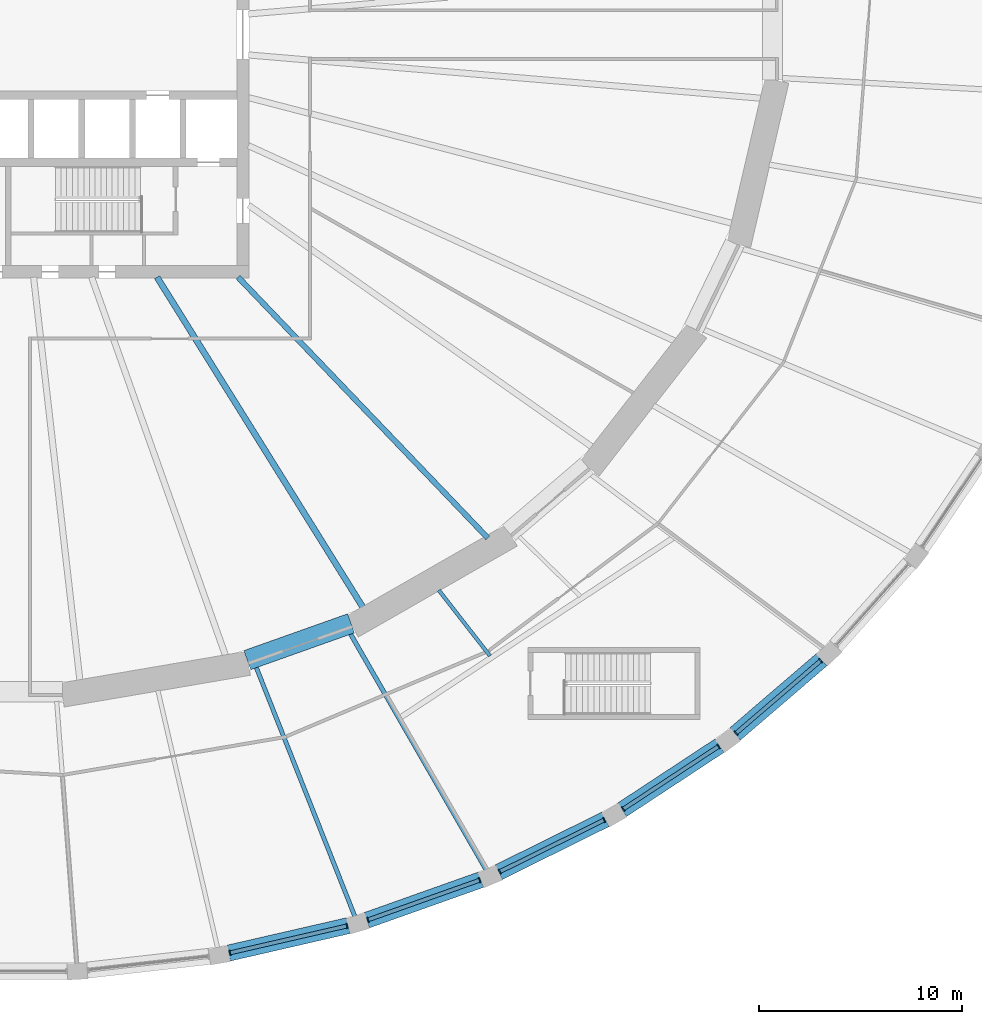
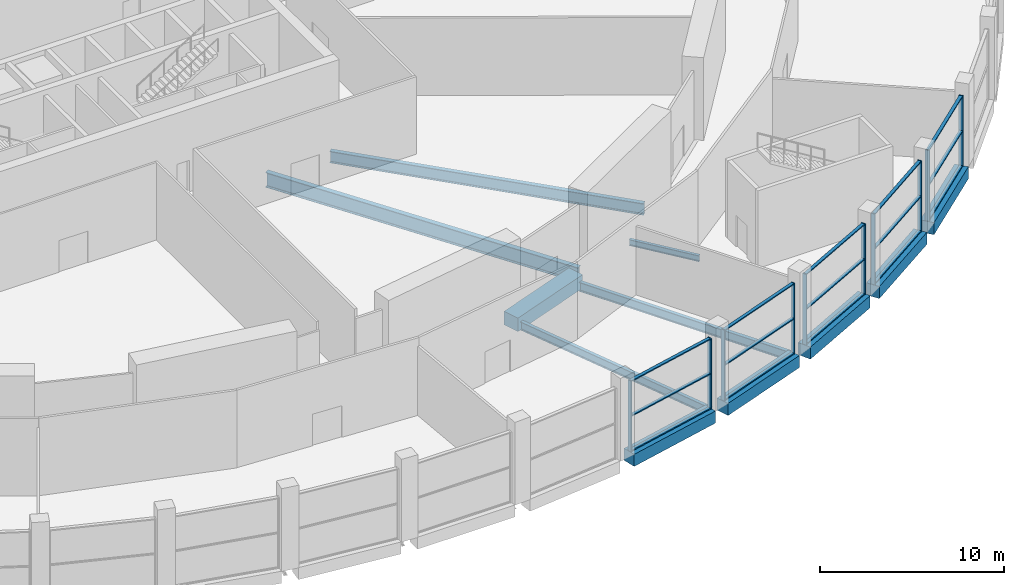
# One storey, part 7 of 29: 25 members, 11 beams, 5 elements without a shape of their own.
"""IFC4 building model written with IfcOpenShell, lengths in metres."""

from ifc_helpers import new_model, si_unit, direction, frame, origin, origin_2d, place, context, subcontext, project, spatial, rectangle, i_section, extrude, material, material_profile, profile_set, type_object, element, aggregate, save


model = new_model("IFC4")

# Units and contexts
model_context = context("Model", 3, precision=1e-05, world=origin(), true_north=direction((0.0, 1.0)))
body_context = subcontext(model_context, "Body", "Model", "MODEL_VIEW")
ifc_project = project(units=[si_unit("LENGTHUNIT", "METRE"), si_unit("AREAUNIT", "SQUARE_METRE"), si_unit("VOLUMEUNIT", "CUBIC_METRE"), si_unit("PLANEANGLEUNIT", "RADIAN"), si_unit("MASSUNIT", "GRAM", prefix="KILO")], contexts=[model_context])

# Site, building, storey
site_placement = place(None, origin())
site = spatial("IfcSite", under=ifc_project, at=site_placement, CompositionType="ELEMENT")
building_placement = place(site_placement, origin())
building = spatial("IfcBuilding", under=site, at=building_placement, Name="Halqa Exchange Tower", CompositionType="ELEMENT")
storey_placement = place(building_placement, frame((0.0, 0.0, 12.5)))
storey = spatial("IfcBuildingStorey", under=building, at=storey_placement, Name="L02", CompositionType="ELEMENT", Elevation=12.5)

# Curtain wall, members
ifc_material_1 = material(Name="Anodised aluminium and clear glass", Category="aluminium")
curtain_wall_type = type_object("IfcCurtainWallType", Name="Exchange hall glazing", PredefinedType="NOTDEFINED", material=ifc_material_1)
curtain_wall_1_placement = place(storey_placement, origin())
curtain_wall_1 = element("IfcCurtainWall", 1, at=curtain_wall_1_placement, inside=storey, type_object=curtain_wall_type, Name="Exchange hall glazing run P38", PredefinedType="NOTDEFINED")
ifc_material_2 = material(Name="Anodised aluminium", Category="aluminium")
ifc_material_profile_1 = material_profile(ifc_material_2, rectangle(XDim=0.25, YDim=0.070068359375, at=origin_2d()), Name="AL 70x250")
ifc_profile_set_1 = profile_set([ifc_material_profile_1], Name="Anodised aluminium")
member_type_1 = type_object("IfcMemberType", Name="Exchange hall glazing mullion 70 x 250", PredefinedType="MULLION", material=ifc_profile_set_1)
member_1_placement = place(storey_placement, frame((11.056396484375, -45.29052734375, 0.0), z_axis=(0.0, 0.0, 1.0), x_axis=(-0.223896655269, 0.974612891234, 0.0)))
member_1 = element("IfcMember", 2, at=member_1_placement, type_object=member_type_1, Name="P38 mullion 1", PredefinedType="MULLION", context=body_context, shape_type="SweptSolid", body=[
    extrude(rectangle(XDim=0.25, YDim=0.070068359375, at=origin_2d()), origin(), (0.0, 0.0, 1.0), 4.699951171875),
])
member_2_placement = place(storey_placement, frame((16.836181640625, -43.962646484375, 0.0), z_axis=(0.0, 0.0, 1.0), x_axis=(-0.223896655269, 0.974612891234, 0.0)))
member_2 = element("IfcMember", 3, at=member_2_placement, type_object=member_type_1, Name="P38 mullion 2", PredefinedType="MULLION", context=body_context, shape_type="SweptSolid", body=[
    extrude(rectangle(XDim=0.25, YDim=0.070068359375, at=origin_2d()), origin(), (0.0, 0.0, 1.0), 4.699951171875),
])

curtain_wall_2_placement = place(storey_placement, origin())
curtain_wall_2 = element("IfcCurtainWall", 4, at=curtain_wall_2_placement, inside=storey, type_object=curtain_wall_type, Name="Exchange hall glazing run P39", PredefinedType="NOTDEFINED")
member_3_placement = place(storey_placement, frame((17.86181640625, -43.663818359375, 0.0), z_axis=(0.0, 0.0, 1.0), x_axis=(-0.334688348326, 0.942328875444, 0.0)))
member_3 = element("IfcMember", 5, at=member_3_placement, type_object=member_type_1, Name="P39 mullion 1", PredefinedType="MULLION", context=body_context, shape_type="SweptSolid", body=[
    extrude(rectangle(XDim=0.25, YDim=0.070068359375, at=origin_2d()), origin(), (0.0, 0.0, 1.0), 4.699951171875),
])
member_4_placement = place(storey_placement, frame((23.37939453125, -41.7041015625, 0.0), z_axis=(0.0, 0.0, 1.0), x_axis=(-0.334688348326, 0.942328875444, 0.0)))
member_4 = element("IfcMember", 6, at=member_4_placement, type_object=member_type_1, Name="P39 mullion 2", PredefinedType="MULLION", context=body_context, shape_type="SweptSolid", body=[
    extrude(rectangle(XDim=0.25, YDim=0.070068359375, at=origin_2d()), origin(), (0.0, 0.0, 1.0), 4.699951171875),
])

curtain_wall_3_placement = place(storey_placement, origin())
curtain_wall_3 = element("IfcCurtainWall", 7, at=curtain_wall_3_placement, inside=storey, type_object=curtain_wall_type, Name="Exchange hall glazing run P40", PredefinedType="NOTDEFINED")
member_5_placement = place(storey_placement, frame((24.363037109375, -41.287841796875, 0.0), z_axis=(0.0, 0.0, 1.0), x_axis=(-0.443653417058, 0.896198440934, 0.0)))
member_5 = element("IfcMember", 8, at=member_5_placement, type_object=member_type_1, Name="P40 mullion 1", PredefinedType="MULLION", context=body_context, shape_type="SweptSolid", body=[
    extrude(rectangle(XDim=0.25, YDim=0.070068359375, at=origin_2d()), origin(), (0.0, 0.0, 1.0), 4.699951171875),
])
member_6_placement = place(storey_placement, frame((29.521240234375, -38.734375, 0.0), z_axis=(0.0, 0.0, 1.0), x_axis=(-0.443653417058, 0.896198440934, 0.0)))
member_6 = element("IfcMember", 9, at=member_6_placement, type_object=member_type_1, Name="P40 mullion 2", PredefinedType="MULLION", context=body_context, shape_type="SweptSolid", body=[
    extrude(rectangle(XDim=0.25, YDim=0.070068359375, at=origin_2d()), origin(), (0.0, 0.0, 1.0), 4.699951171875),
])

curtain_wall_4_placement = place(storey_placement, origin())
curtain_wall_4 = element("IfcCurtainWall", 10, at=curtain_wall_4_placement, inside=storey, type_object=curtain_wall_type, Name="Exchange hall glazing run P41", PredefinedType="NOTDEFINED")
member_7_placement = place(storey_placement, frame((30.44775390625, -38.202880859375, 0.0), z_axis=(0.0, 0.0, 1.0), x_axis=(-0.549620040919, 0.835414753652, 0.0)))
member_7 = element("IfcMember", 11, at=member_7_placement, type_object=member_type_1, Name="P41 mullion 1", PredefinedType="MULLION", context=body_context, shape_type="SweptSolid", body=[
    extrude(rectangle(XDim=0.25, YDim=0.070068359375, at=origin_2d()), origin(), (0.0, 0.0, 1.0), 4.699951171875),
])
member_8_placement = place(storey_placement, frame((35.15771484375, -35.104248046875, 0.0), z_axis=(0.0, 0.0, 1.0), x_axis=(-0.549620040919, 0.835414753652, 0.0)))
member_8 = element("IfcMember", 12, at=member_8_placement, type_object=member_type_1, Name="P41 mullion 2", PredefinedType="MULLION", context=body_context, shape_type="SweptSolid", body=[
    extrude(rectangle(XDim=0.25, YDim=0.070068359375, at=origin_2d()), origin(), (0.0, 0.0, 1.0), 4.699951171875),
])

curtain_wall_5_placement = place(storey_placement, origin())
curtain_wall_5 = element("IfcCurtainWall", 13, at=curtain_wall_5_placement, inside=storey, type_object=curtain_wall_type, Name="Exchange hall glazing run P42", PredefinedType="NOTDEFINED")
member_9_placement = place(storey_placement, frame((36.010986328125, -34.4619140625, 0.0), z_axis=(0.0, 0.0, 1.0), x_axis=(-0.650910929175, 0.759154109704, 0.0)))
member_9 = element("IfcMember", 14, at=member_9_placement, type_object=member_type_1, Name="P42 mullion 1", PredefinedType="MULLION", context=body_context, shape_type="SweptSolid", body=[
    extrude(rectangle(XDim=0.25, YDim=0.070068359375, at=origin_2d()), origin(), (0.0, 0.0, 1.0), 4.699951171875),
])
member_10_placement = place(storey_placement, frame((40.193115234375, -30.8759765625, 0.0), z_axis=(0.0, 0.0, 1.0), x_axis=(-0.650910929175, 0.759154109704, 0.0)))
member_10 = element("IfcMember", 15, at=member_10_placement, type_object=member_type_1, Name="P42 mullion 2", PredefinedType="MULLION", context=body_context, shape_type="SweptSolid", body=[
    extrude(rectangle(XDim=0.25, YDim=0.070068359375, at=origin_2d()), origin(), (0.0, 0.0, 1.0), 4.699951171875),
])

# Member
ifc_material_profile_2 = material_profile(ifc_material_2, rectangle(XDim=0.199951171875, YDim=0.070068359375, at=origin_2d()), Name="AL 70x200")
ifc_profile_set_2 = profile_set([ifc_material_profile_2], Name="Anodised aluminium")
member_type_2 = type_object("IfcMemberType", Name="Exchange hall glazing transom 70 x 200", PredefinedType="USERDEFINED", material=ifc_profile_set_2)
member_11_placement = place(storey_placement, frame((11.09033203125, -45.28271484375, 0.034912109375), z_axis=(0.974610483498, 0.223907135784, 0.0), x_axis=(-0.223907135784, 0.974610483498, 0.0)))
member_11 = element("IfcMember", 16, at=member_11_placement, type_object=member_type_2, Name="P38 transom 1.1", ObjectType="TRANSOM", PredefinedType="USERDEFINED", context=body_context, shape_type="SweptSolid", body=[
    extrude(rectangle(XDim=0.199951171875, YDim=0.070068359375, at=origin_2d()), origin(), (0.0, 0.0, 1.0), 5.860595703125),
])

member_12_placement = place(storey_placement, frame((11.09033203125, -45.28271484375, 2.35009765625), z_axis=(0.974610483498, 0.223907135784, 0.0), x_axis=(-0.223907135784, 0.974610483498, 0.0)))
member_12 = element("IfcMember", 17, at=member_12_placement, type_object=member_type_2, Name="P38 transom 1.2", ObjectType="TRANSOM", PredefinedType="USERDEFINED", context=body_context, shape_type="SweptSolid", body=[
    extrude(rectangle(XDim=0.199951171875, YDim=0.070068359375, at=origin_2d()), origin(), (0.0, 0.0, 1.0), 5.860595703125),
])

member_13_placement = place(storey_placement, frame((11.09033203125, -45.28271484375, 4.6650390625), z_axis=(0.974610483498, 0.223907135784, 0.0), x_axis=(-0.223907135784, 0.974610483498, 0.0)))
member_13 = element("IfcMember", 18, at=member_13_placement, type_object=member_type_2, Name="P38 transom 1.3", ObjectType="TRANSOM", PredefinedType="USERDEFINED", context=body_context, shape_type="SweptSolid", body=[
    extrude(rectangle(XDim=0.199951171875, YDim=0.070068359375, at=origin_2d()), origin(), (0.0, 0.0, 1.0), 5.860595703125),
])

aggregate(curtain_wall_1, [member_1, member_2, member_11, member_12, member_13])

member_14_placement = place(storey_placement, frame((17.894775390625, -43.652099609375, 0.034912109375), z_axis=(0.942328600126, 0.334689123493, 0.0), x_axis=(-0.334689123493, 0.942328600126, 0.0)))
member_14 = element("IfcMember", 19, at=member_14_placement, type_object=member_type_2, Name="P39 transom 1.1", ObjectType="TRANSOM", PredefinedType="USERDEFINED", context=body_context, shape_type="SweptSolid", body=[
    extrude(rectangle(XDim=0.199951171875, YDim=0.070068359375, at=origin_2d()), origin(), (0.0, 0.0, 1.0), 5.785400390625),
])

member_15_placement = place(storey_placement, frame((17.894775390625, -43.652099609375, 2.35009765625), z_axis=(0.942328600126, 0.334689123493, 0.0), x_axis=(-0.334689123493, 0.942328600126, 0.0)))
member_15 = element("IfcMember", 20, at=member_15_placement, type_object=member_type_2, Name="P39 transom 1.2", ObjectType="TRANSOM", PredefinedType="USERDEFINED", context=body_context, shape_type="SweptSolid", body=[
    extrude(rectangle(XDim=0.199951171875, YDim=0.070068359375, at=origin_2d()), origin(), (0.0, 0.0, 1.0), 5.785400390625),
])

member_16_placement = place(storey_placement, frame((17.894775390625, -43.652099609375, 4.6650390625), z_axis=(0.942328600126, 0.334689123493, 0.0), x_axis=(-0.334689123493, 0.942328600126, 0.0)))
member_16 = element("IfcMember", 21, at=member_16_placement, type_object=member_type_2, Name="P39 transom 1.3", ObjectType="TRANSOM", PredefinedType="USERDEFINED", context=body_context, shape_type="SweptSolid", body=[
    extrude(rectangle(XDim=0.199951171875, YDim=0.070068359375, at=origin_2d()), origin(), (0.0, 0.0, 1.0), 5.785400390625),
])

aggregate(curtain_wall_2, [member_3, member_4, member_14, member_15, member_16])

member_17_placement = place(storey_placement, frame((24.39453125, -41.2724609375, 0.034912109375), z_axis=(0.89618076134, 0.443689128788, 0.0), x_axis=(-0.443689128788, 0.89618076134, 0.0)))
member_17 = element("IfcMember", 22, at=member_17_placement, type_object=member_type_2, Name="P40 transom 1.1", ObjectType="TRANSOM", PredefinedType="USERDEFINED", context=body_context, shape_type="SweptSolid", body=[
    extrude(rectangle(XDim=0.199951171875, YDim=0.070068359375, at=origin_2d()), origin(), (0.0, 0.0, 1.0), 5.685791015625),
])

member_18_placement = place(storey_placement, frame((24.39453125, -41.2724609375, 2.35009765625), z_axis=(0.89618076134, 0.443689128788, 0.0), x_axis=(-0.443689128788, 0.89618076134, 0.0)))
member_18 = element("IfcMember", 23, at=member_18_placement, type_object=member_type_2, Name="P40 transom 1.2", ObjectType="TRANSOM", PredefinedType="USERDEFINED", context=body_context, shape_type="SweptSolid", body=[
    extrude(rectangle(XDim=0.199951171875, YDim=0.070068359375, at=origin_2d()), origin(), (0.0, 0.0, 1.0), 5.685791015625),
])

member_19_placement = place(storey_placement, frame((24.39453125, -41.2724609375, 4.6650390625), z_axis=(0.89618076134, 0.443689128788, 0.0), x_axis=(-0.443689128788, 0.89618076134, 0.0)))
member_19 = element("IfcMember", 24, at=member_19_placement, type_object=member_type_2, Name="P40 transom 1.3", ObjectType="TRANSOM", PredefinedType="USERDEFINED", context=body_context, shape_type="SweptSolid", body=[
    extrude(rectangle(XDim=0.199951171875, YDim=0.070068359375, at=origin_2d()), origin(), (0.0, 0.0, 1.0), 5.685791015625),
])

aggregate(curtain_wall_3, [member_5, member_6, member_17, member_18, member_19])

member_20_placement = place(storey_placement, frame((30.47705078125, -38.183837890625, 0.034912109375), z_axis=(0.835401187087, 0.549640661355, 0.0), x_axis=(-0.549640661355, 0.835401187087, 0.0)))
member_20 = element("IfcMember", 25, at=member_20_placement, type_object=member_type_2, Name="P41 transom 1.1", ObjectType="TRANSOM", PredefinedType="USERDEFINED", context=body_context, shape_type="SweptSolid", body=[
    extrude(rectangle(XDim=0.199951171875, YDim=0.070068359375, at=origin_2d()), origin(), (0.0, 0.0, 1.0), 5.56787109375),
])

member_21_placement = place(storey_placement, frame((30.47705078125, -38.183837890625, 2.35009765625), z_axis=(0.835401187087, 0.549640661355, 0.0), x_axis=(-0.549640661355, 0.835401187087, 0.0)))
member_21 = element("IfcMember", 26, at=member_21_placement, type_object=member_type_2, Name="P41 transom 1.2", ObjectType="TRANSOM", PredefinedType="USERDEFINED", context=body_context, shape_type="SweptSolid", body=[
    extrude(rectangle(XDim=0.199951171875, YDim=0.070068359375, at=origin_2d()), origin(), (0.0, 0.0, 1.0), 5.56787109375),
])

member_22_placement = place(storey_placement, frame((30.47705078125, -38.183837890625, 4.6650390625), z_axis=(0.835401187087, 0.549640661355, 0.0), x_axis=(-0.549640661355, 0.835401187087, 0.0)))
member_22 = element("IfcMember", 27, at=member_22_placement, type_object=member_type_2, Name="P41 transom 1.3", ObjectType="TRANSOM", PredefinedType="USERDEFINED", context=body_context, shape_type="SweptSolid", body=[
    extrude(rectangle(XDim=0.199951171875, YDim=0.070068359375, at=origin_2d()), origin(), (0.0, 0.0, 1.0), 5.56787109375),
])

aggregate(curtain_wall_4, [member_7, member_8, member_20, member_21, member_22])

member_23_placement = place(storey_placement, frame((36.037353515625, -34.439208984375, 0.034912109375), z_axis=(0.759142529619, 0.650924434727, 0.0), x_axis=(-0.650924434727, 0.759142529619, 0.0)))
member_23 = element("IfcMember", 28, at=member_23_placement, type_object=member_type_2, Name="P42 transom 1.1", ObjectType="TRANSOM", PredefinedType="USERDEFINED", context=body_context, shape_type="SweptSolid", body=[
    extrude(rectangle(XDim=0.199951171875, YDim=0.070068359375, at=origin_2d()), origin(), (0.0, 0.0, 1.0), 5.439208984375),
])

member_24_placement = place(storey_placement, frame((36.037353515625, -34.439208984375, 2.35009765625), z_axis=(0.759142529619, 0.650924434727, 0.0), x_axis=(-0.650924434727, 0.759142529619, 0.0)))
member_24 = element("IfcMember", 29, at=member_24_placement, type_object=member_type_2, Name="P42 transom 1.2", ObjectType="TRANSOM", PredefinedType="USERDEFINED", context=body_context, shape_type="SweptSolid", body=[
    extrude(rectangle(XDim=0.199951171875, YDim=0.070068359375, at=origin_2d()), origin(), (0.0, 0.0, 1.0), 5.439208984375),
])

member_25_placement = place(storey_placement, frame((36.037353515625, -34.439208984375, 4.6650390625), z_axis=(0.759142529619, 0.650924434727, 0.0), x_axis=(-0.650924434727, 0.759142529619, 0.0)))
member_25 = element("IfcMember", 30, at=member_25_placement, type_object=member_type_2, Name="P42 transom 1.3", ObjectType="TRANSOM", PredefinedType="USERDEFINED", context=body_context, shape_type="SweptSolid", body=[
    extrude(rectangle(XDim=0.199951171875, YDim=0.070068359375, at=origin_2d()), origin(), (0.0, 0.0, 1.0), 5.439208984375),
])

aggregate(curtain_wall_5, [member_9, member_10, member_23, member_24, member_25])

# Beams
ifc_material_3 = material(Name="Steel S355", Category="steel")
ifc_material_profile_3 = material_profile(ifc_material_3, i_section(OverallWidth=0.300048828125, OverallDepth=0.989990234375, WebThickness=0.0166015625, FlangeThickness=0.031005859375, FilletRadius=0.030029296875, at=origin_2d()), Name="HEA 1000")
ifc_profile_set_3 = profile_set([ifc_material_profile_3], Name="Steel S355")
beam_type_1 = type_object("IfcBeamType", Name="Floor beam HEA 1000", PredefinedType="BEAM", material=ifc_profile_set_3)
beam_1_placement = place(storey_placement, frame((7.46533203125, -11.971435546875, -0.844970703125), z_axis=(0.529145823441, -0.848530905468, 0.0), x_axis=(0.848530905468, 0.529145823441, 0.0)))
element("IfcBeam", 31, at=beam_1_placement, inside=storey, type_object=beam_type_1, Name="Radial beam 27", PredefinedType="BEAM", context=body_context, shape_type="SweptSolid", body=[
    extrude(i_section(OverallWidth=0.300048828125, OverallDepth=0.989990234375, WebThickness=0.0166015625, FlangeThickness=0.031005859375, FilletRadius=0.030029296875, at=origin_2d()), origin(), (0.0, 0.0, 1.0), 19.27294921875),
])
ifc_material_profile_4 = material_profile(ifc_material_3, i_section(OverallWidth=0.179931640625, OverallDepth=0.39990234375, WebThickness=0.008544921875, FlangeThickness=0.013427734375, FilletRadius=0.02099609375, at=origin_2d()), Name="IPE 400")
ifc_profile_set_4 = profile_set([ifc_material_profile_4], Name="Steel S355")
beam_type_2 = type_object("IfcBeamType", Name="Floor beam IPE 400", PredefinedType="BEAM", material=ifc_profile_set_4)
beam_2_placement = place(storey_placement, frame((21.3603515625, -27.40966796875, -0.550048828125), z_axis=(0.614706293657, -0.788756091919, 0.0), x_axis=(0.788756091919, 0.614706293657, 0.0)))
element("IfcBeam", 32, at=beam_2_placement, inside=storey, type_object=beam_type_2, Name="Radial beam 41a", PredefinedType="BEAM", context=body_context, shape_type="SweptSolid", body=[
    extrude(i_section(OverallWidth=0.179931640625, OverallDepth=0.39990234375, WebThickness=0.008544921875, FlangeThickness=0.013427734375, FilletRadius=0.02099609375, at=origin_2d()), origin(), (0.0, 0.0, 1.0), 4.104248046875),
])
ifc_material_profile_5 = material_profile(ifc_material_3, i_section(OverallWidth=0.2099609375, OverallDepth=0.550048828125, WebThickness=0.010986328125, FlangeThickness=0.01708984375, FilletRadius=0.02392578125, at=origin_2d()), Name="IPE 550")
ifc_profile_set_5 = profile_set([ifc_material_profile_5], Name="Steel S355")
beam_type_3 = type_object("IfcBeamType", Name="Floor beam IPE 550", PredefinedType="BEAM", material=ifc_profile_set_5)
beam_3_placement = place(storey_placement, frame((12.352294921875, -31.2001953125, -0.625), z_axis=(0.368106640822, -0.929783577497, 0.0), x_axis=(0.929783577497, 0.368106640822, 0.0)))
element("IfcBeam", 33, at=beam_3_placement, inside=storey, type_object=beam_type_3, Name="Radial beam 39", PredefinedType="BEAM", context=body_context, shape_type="SweptSolid", body=[
    extrude(i_section(OverallWidth=0.2099609375, OverallDepth=0.550048828125, WebThickness=0.010986328125, FlangeThickness=0.01708984375, FilletRadius=0.02392578125, at=origin_2d()), origin(), (0.0, 0.0, 1.0), 13.22412109375),
])
ifc_material_profile_6 = material_profile(ifc_material_3, i_section(OverallWidth=0.219970703125, OverallDepth=0.60009765625, WebThickness=0.011962890625, FlangeThickness=0.01904296875, FilletRadius=0.02392578125, at=origin_2d()), Name="IPE 600")
ifc_profile_set_6 = profile_set([ifc_material_profile_6], Name="Steel S355")
beam_type_4 = type_object("IfcBeamType", Name="Floor beam IPE 600", PredefinedType="BEAM", material=ifc_profile_set_6)
beam_4_placement = place(storey_placement, frame((16.996826171875, -29.551513671875, -0.64990234375), z_axis=(0.498570786865, -0.866848989435, 0.0), x_axis=(0.866848989435, 0.498570786865, 0.0)))
element("IfcBeam", 34, at=beam_4_placement, inside=storey, type_object=beam_type_4, Name="Radial beam 40", PredefinedType="BEAM", context=body_context, shape_type="SweptSolid", body=[
    extrude(i_section(OverallWidth=0.219970703125, OverallDepth=0.60009765625, WebThickness=0.011962890625, FlangeThickness=0.01904296875, FilletRadius=0.02392578125, at=origin_2d()), origin(), (0.0, 0.0, 1.0), 13.438720703125),
])
ifc_material_profile_7 = material_profile(ifc_material_3, i_section(OverallWidth=0.26806640625, OverallDepth=0.77001953125, WebThickness=0.015625, FlangeThickness=0.025390625, FilletRadius=0.01708984375, at=origin_2d()), Name="IPE 750x196")
ifc_profile_set_7 = profile_set([ifc_material_profile_7], Name="Steel S355")
beam_type_5 = type_object("IfcBeamType", Name="Floor beam IPE 750x196", PredefinedType="BEAM", material=ifc_profile_set_7)
beam_5_placement = place(storey_placement, frame((11.46240234375, -11.9716796875, -0.735107421875), z_axis=(0.6915763718, -0.722303344841, 0.0), x_axis=(0.722303344841, 0.6915763718, 0.0)))
element("IfcBeam", 35, at=beam_5_placement, inside=storey, type_object=beam_type_5, Name="Radial beam 28", PredefinedType="BEAM", context=body_context, shape_type="SweptSolid", body=[
    extrude(i_section(OverallWidth=0.26806640625, OverallDepth=0.77001953125, WebThickness=0.015625, FlangeThickness=0.025390625, FilletRadius=0.01708984375, at=origin_2d()), origin(), (0.0, 0.0, 1.0), 17.7978515625),
])
ifc_material_4 = material(Name="Concrete C60/75", Category="concrete")
ifc_material_profile_8 = material_profile(ifc_material_4, rectangle(XDim=0.800048828125, YDim=0.800048828125, at=origin_2d()), Name="800 x 800")
ifc_profile_set_8 = profile_set([ifc_material_profile_8], Name="Concrete C60/75")
beam_type_6 = type_object("IfcBeamType", Name="RC podium edge beam 800 x 800 C60/75", PredefinedType="SPANDREL", material=ifc_profile_set_8)
beam_6_placement = place(storey_placement, frame((10.99658203125, -45.304443359375, -0.39990234375), z_axis=(0.974604133477, 0.223934774008, 0.0), x_axis=(-0.223934774008, 0.974604133477, 0.0)))
element("IfcBeam", 36, at=beam_6_placement, inside=storey, type_object=beam_type_6, Name="Podium edge beam 38", PredefinedType="SPANDREL", context=body_context, shape_type="SweptSolid", body=[
    extrude(rectangle(XDim=0.800048828125, YDim=0.800048828125, at=origin_2d()), origin(), (0.0, 0.0, 1.0), 6.05517578125),
])
beam_7_placement = place(storey_placement, frame((17.802490234375, -43.684814453125, -0.39990234375), z_axis=(0.942343471221, 0.334647250469, 0.0), x_axis=(-0.334647250469, 0.942343471221, 0.0)))
element("IfcBeam", 37, at=beam_7_placement, inside=storey, type_object=beam_type_6, Name="Podium edge beam 39", PredefinedType="SPANDREL", context=body_context, shape_type="SweptSolid", body=[
    extrude(rectangle(XDim=0.800048828125, YDim=0.800048828125, at=origin_2d()), origin(), (0.0, 0.0, 1.0), 5.980712890625),
])
beam_8_placement = place(storey_placement, frame((24.30712890625, -41.3154296875, -0.39990234375), z_axis=(0.896205416004, 0.443639326847, 0.0), x_axis=(-0.443639326847, 0.896205416004, 0.0)))
element("IfcBeam", 38, at=beam_8_placement, inside=storey, type_object=beam_type_6, Name="Podium edge beam 40", PredefinedType="SPANDREL", context=body_context, shape_type="SweptSolid", body=[
    extrude(rectangle(XDim=0.800048828125, YDim=0.800048828125, at=origin_2d()), origin(), (0.0, 0.0, 1.0), 5.880126953125),
])
beam_9_placement = place(storey_placement, frame((30.396240234375, -38.23681640625, -0.39990234375), z_axis=(0.835418618456, 0.549614166426, 0.0), x_axis=(-0.549614166426, 0.835418618456, 0.0)))
element("IfcBeam", 39, at=beam_9_placement, inside=storey, type_object=beam_type_6, Name="Podium edge beam 41", PredefinedType="SPANDREL", context=body_context, shape_type="SweptSolid", body=[
    extrude(rectangle(XDim=0.800048828125, YDim=0.800048828125, at=origin_2d()), origin(), (0.0, 0.0, 1.0), 5.760986328125),
])
beam_10_placement = place(storey_placement, frame((35.963134765625, -34.502685546875, -0.39990234375), z_axis=(0.759174010844, 0.650887717859, 0.0), x_axis=(-0.650887717859, 0.759174010844, 0.0)))
element("IfcBeam", 40, at=beam_10_placement, inside=storey, type_object=beam_type_6, Name="Podium edge beam 42", PredefinedType="SPANDREL", context=body_context, shape_type="SweptSolid", body=[
    extrude(rectangle(XDim=0.800048828125, YDim=0.800048828125, at=origin_2d()), origin(), (0.0, 0.0, 1.0), 5.63427734375),
])
ifc_material_profile_9 = material_profile(ifc_material_4, rectangle(XDim=1.0, YDim=0.89990234375, at=origin_2d()), Name="1000 x 900")
ifc_profile_set_9 = profile_set([ifc_material_profile_9], Name="Concrete C60/75")
beam_type_7 = type_object("IfcBeamType", Name="RC spandrel beam 1000 x 900 C60/75", PredefinedType="SPANDREL", material=ifc_profile_set_9)
beam_11_placement = place(storey_placement, frame((11.9130859375, -30.855712890625, -0.449951171875), z_axis=(0.942357788657, 0.334606930826, 0.0), x_axis=(-0.334606930826, 0.942357788657, 0.0)))
element("IfcBeam", 41, at=beam_11_placement, inside=storey, type_object=beam_type_7, Name="Spandrel 26", PredefinedType="SPANDREL", context=body_context, shape_type="SweptSolid", body=[
    extrude(rectangle(XDim=1.0, YDim=0.89990234375, at=origin_2d()), origin(), (0.0, 0.0, 1.0), 5.429931640625),
])

save(model, "model.ifc")
